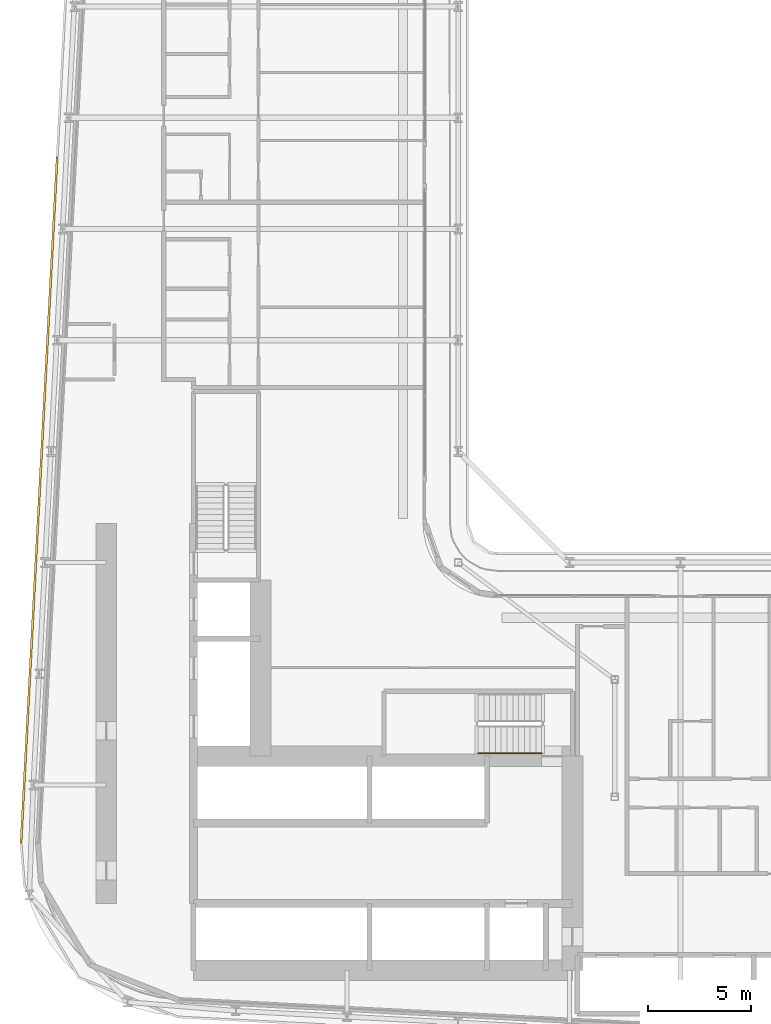
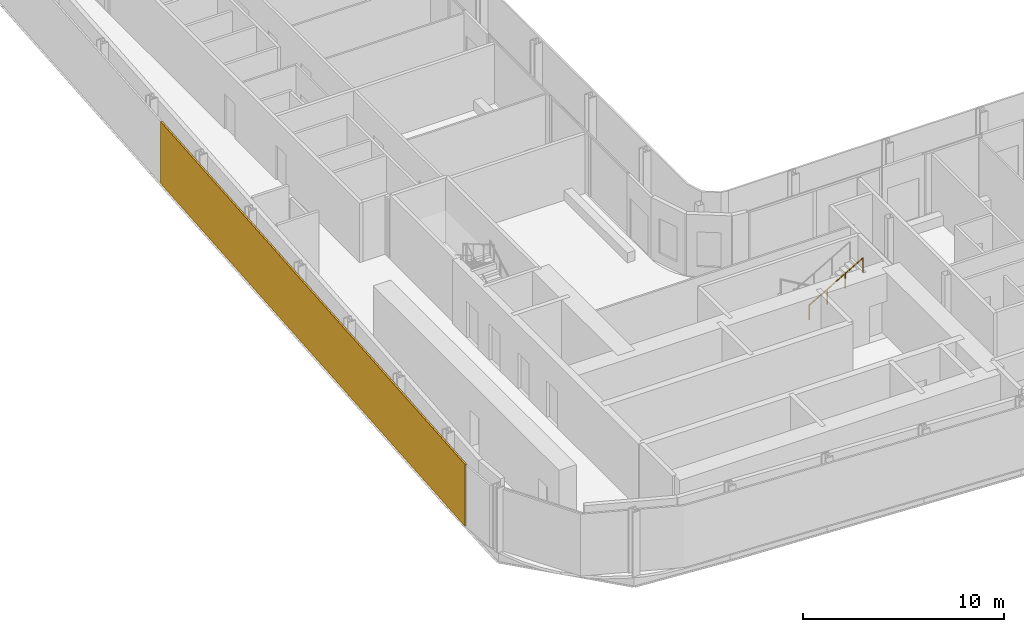
# One storey, part 22 of 28: 1 railing, 1 shading device.
"""IFC4 building model written with IfcOpenShell, lengths in metres."""

from ifc_helpers import new_model, si_unit, direction, frame, origin, origin_2d, place, context, subcontext, project, spatial, rectangle, circle, extrude, material, layer, layer_set, type_object, element, save


model = new_model("IFC4")

# Units and contexts
model_context = context("Model", 3, precision=1e-05, world=origin(), true_north=direction((0.0, 1.0)))
body_context = subcontext(model_context, "Body", "Model", "MODEL_VIEW")
ifc_project = project(units=[si_unit("LENGTHUNIT", "METRE"), si_unit("AREAUNIT", "SQUARE_METRE"), si_unit("VOLUMEUNIT", "CUBIC_METRE"), si_unit("PLANEANGLEUNIT", "RADIAN"), si_unit("MASSUNIT", "GRAM", prefix="KILO")], contexts=[model_context])

# Site, building, storey
site_placement = place(None, origin())
site = spatial("IfcSite", under=ifc_project, at=site_placement, CompositionType="ELEMENT")
building_placement = place(site_placement, origin())
building = spatial("IfcBuilding", under=site, at=building_placement, Name="Kheshtan School and Residences Tower", CompositionType="ELEMENT")
storey_placement = place(building_placement, frame((0.0, 0.0, 73.39990234375)))
storey = spatial("IfcBuildingStorey", under=building, at=storey_placement, Name="L17", CompositionType="ELEMENT", Elevation=73.39990234375)

# Shading device
ifc_material_1 = material(Name="Terracotta baguette, extruded ceramic", Category="masonry")
ifc_layer = layer(ifc_material_1, 0.10009765625)
ifc_layer_set = layer_set([ifc_layer], Name="Ledge screen, terracotta baguettes")
shading_device_type = type_object("IfcShadingDeviceType", Name="Ledge screen, terracotta baguettes", PredefinedType="USERDEFINED", material=ifc_layer_set)
shading_device_placement = place(storey_placement, frame((27.24609375, 48.638916015625, 0.0), z_axis=(0.0, 0.0, 1.0), x_axis=(0.052562536748, 0.998617634398, 0.0)))
element("IfcShadingDevice", 1, at=shading_device_placement, inside=storey, type_object=shading_device_type, Name="Screen L17 4", ObjectType="BAGUETTE", PredefinedType="USERDEFINED", context=body_context, shape_type="SweptSolid", body=[
    extrude(rectangle(XDim=33.341064453125, YDim=0.10009765625, at=origin_2d()), origin(), (0.0, 0.0, 1.0), 3.75),
])

# Railing
ifc_material_2 = material(Name="Stainless steel handrail", Category="steel")
railing_type = type_object("IfcRailingType", Name="Stair handrail 900", PredefinedType="HANDRAIL", material=ifc_material_2)
railing_placement = place(storey_placement, frame((48.570068359375, 36.35009765625, 2.112548828125)))
element("IfcRailing", 2, at=railing_placement, inside=storey, type_object=railing_type, Name="L17 ST1 stair handrail 2", PredefinedType="HANDRAIL", context=body_context, shape_type="SweptSolid", body=[
    extrude(circle(Radius=0.02392578125, at=origin_2d()), frame((0.0, 0.0, 0.8759765625), z_axis=(0.864873446163, 0.0, 0.501989962173), x_axis=(0.0, 1.0, 0.0)), (0.0, 0.0, 1.0), 3.56103515625),
    extrude(circle(Radius=0.02099609375, at=origin_2d()), origin(), (0.0, 0.0, 1.0), 0.851806640625),
    extrude(circle(Radius=0.02099609375, at=origin_2d()), frame((1.026611328125, 0.0, 0.595947265625)), (0.0, 0.0, 1.0), 0.851806640625),
    extrude(circle(Radius=0.02099609375, at=origin_2d()), frame((2.05322265625, 0.0, 1.191650390625)), (0.0, 0.0, 1.0), 0.851806640625),
    extrude(circle(Radius=0.02099609375, at=origin_2d()), frame((3.079833984375, 0.0, 1.78759765625)), (0.0, 0.0, 1.0), 0.851806640625),
])

save(model, "model.ifc")
